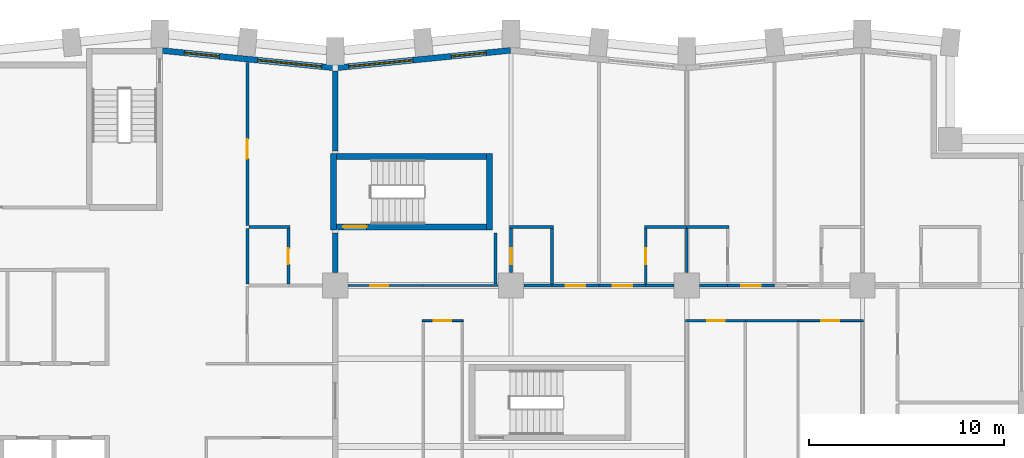
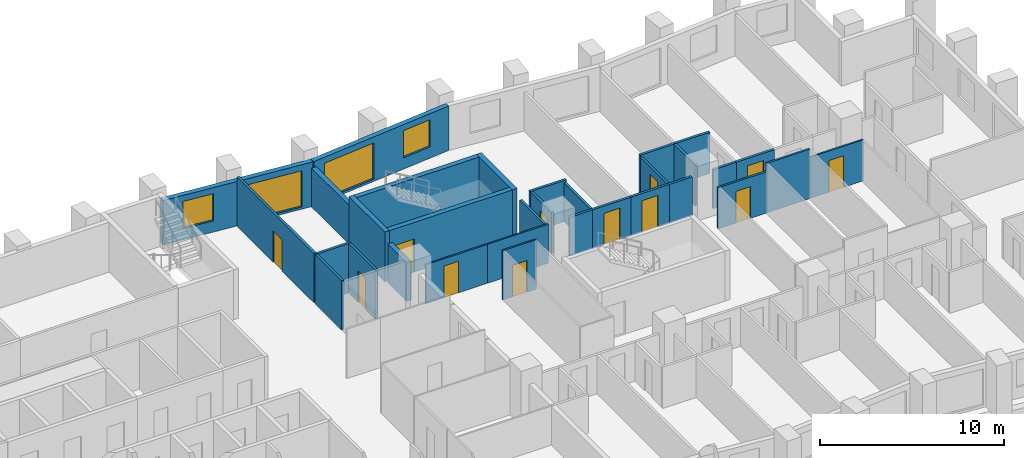
# One storey, part 9 of 13: 32 walls, 12 doors, 4 windows, 16 openings.
"""IFC4 building model written with IfcOpenShell, lengths in metres."""

from ifc_helpers import new_model, si_unit, direction, frame, frame_2d, origin, place, context, subcontext, project, spatial, rectangle, extrude, material, layer, layer_set, type_object, element, fill, save


model = new_model("IFC4")

# Units and contexts
model_context = context("Model", 3, precision=1e-05, world=origin(), true_north=direction((0.0, 1.0)))
body_context = subcontext(model_context, "Body", "Model", "MODEL_VIEW")
ifc_project = project(units=[si_unit("LENGTHUNIT", "METRE"), si_unit("AREAUNIT", "SQUARE_METRE"), si_unit("VOLUMEUNIT", "CUBIC_METRE"), si_unit("PLANEANGLEUNIT", "RADIAN"), si_unit("MASSUNIT", "GRAM", prefix="KILO")], contexts=[model_context])

# Site, building, storey
site_placement = place(None, origin())
site = spatial("IfcSite", under=ifc_project, at=site_placement, CompositionType="ELEMENT")
building_placement = place(site_placement, origin())
building = spatial("IfcBuilding", under=site, at=building_placement, Name="Brondeck Convention Tower", CompositionType="ELEMENT")
storey_placement = place(building_placement, frame((0.0, 0.0, 44.699951171875)))
storey = spatial("IfcBuildingStorey", under=building, at=storey_placement, Name="L08", CompositionType="ELEMENT", Elevation=44.699951171875)

# Walls
ifc_material_1 = material(Name="Concrete compartment wall C30/37", Category="concrete")
ifc_layer_1 = layer(ifc_material_1, 0.300048828125)
ifc_layer_set_1 = layer_set([ifc_layer_1], Name="Compartment wall 300")
wall_type_1 = type_object("IfcWallType", Name="Compartment wall 300", PredefinedType="PARTITIONING", material=ifc_layer_set_1)
wall_1_placement = place(storey_placement, frame((36.0, 53.699951171875, 0.0), z_axis=(0.0, 0.0, 1.0), x_axis=(0.0, -1.0, 0.0)))
element("IfcWall", 1, at=wall_1_placement, inside=storey, type_object=wall_type_1, Name="FLR-L08-W147", PredefinedType="PARTITIONING", context=body_context, shape_type="SweptSolid", body=[
    extrude(rectangle(XDim=2.044921875, YDim=0.300048828125, at=frame_2d((1.0224609375, 0.0))), origin(), (0.0, 0.0, 1.0), 2.580078125),
])
wall_2_placement = place(storey_placement, frame((36.0, 61.97509765625, 0.0), z_axis=(0.0, 0.0, 1.0), x_axis=(0.0, -1.0, 0.0)))
element("IfcWall", 2, at=wall_2_placement, inside=storey, type_object=wall_type_1, Name="FLR-L08-W162", PredefinedType="PARTITIONING", context=body_context, shape_type="SweptSolid", body=[
    extrude(rectangle(XDim=4.0751953125, YDim=0.300048828125, at=frame_2d((2.03759765625, 0.0))), origin(), (0.0, 0.0, 1.0), 2.580078125),
])

# Wall, openings, windows
ifc_material_2 = material(Name="Precast concrete C50/60 bronze finish", Category="concrete")
ifc_layer_2 = layer(ifc_material_2, 0.070068359375, Name="Bronze precast facing")
ifc_material_3 = material(Name="Mineral wool")
ifc_layer_3 = layer(ifc_material_3, 0.159912109375, Name="Insulation")
ifc_material_4 = material(Name="Concrete C35/45", Category="concrete")
ifc_layer_4 = layer(ifc_material_4, 0.070068359375, Name="Backing")
ifc_layer_set_2 = layer_set([ifc_layer_2, ifc_layer_3, ifc_layer_4], Name="External infill wall, precast concrete C50/60 bronze facing")
wall_type_2 = type_object("IfcWallType", Name="External infill wall, precast concrete C50/60 bronze facing", PredefinedType="SOLIDWALL", material=ifc_layer_set_2)
wall_3_placement = place(storey_placement, frame((35.985107421875, 62.144287109375, 0.0), z_axis=(0.0, 0.0, 1.0), x_axis=(0.995037993253, 0.099495688264, 0.0)))
wall_3 = element("IfcWall", 3, at=wall_3_placement, inside=storey, type_object=wall_type_2, Name="ENV-EW-L08-P0-A-N-09", PredefinedType="SOLIDWALL", context=body_context, shape_type="SweptSolid", body=[
    extrude(rectangle(XDim=9.030029296875, YDim=0.300048828125, at=frame_2d((4.51513671875, 0.0))), origin(), (0.0, 0.0, 1.0), 2.949951171875),
])
opening_1_placement = place(wall_3_placement, frame((0.711181640625, 0.0, 0.14990234375)))
opening_1 = element("IfcOpeningElement", 4, at=opening_1_placement, cuts=wall_3, Name="Opening W9", PredefinedType="OPENING", context=body_context, shape_type="SweptSolid", body=[
    extrude(rectangle(XDim=3.300048828125, YDim=2.39990234375, at=frame_2d((1.64990234375, 1.199951171875))), frame((0.0, 0.159912109375, 0.0), z_axis=(0.0, -1.0, 0.0), x_axis=(1.0, 0.0, 0.0)), (0.0, 0.0, 1.0), 0.320068359375),
])
opening_2_placement = place(wall_3_placement, frame((5.983642578125, 0.0, 0.75)))
opening_2 = element("IfcOpeningElement", 5, at=opening_2_placement, cuts=wall_3, Name="Opening W10", PredefinedType="OPENING", context=body_context, shape_type="SweptSolid", body=[
    extrude(rectangle(XDim=1.800048828125, YDim=1.800048828125, at=frame_2d((0.89990234375, 0.89990234375))), frame((0.0, 0.159912109375, 0.0), z_axis=(0.0, -1.0, 0.0), x_axis=(1.0, 0.0, 0.0)), (0.0, 0.0, 1.0), 0.320068359375),
])
ifc_material_5 = material(Name="Bronze tinted double glazing", Category="glass")
window_type_1 = type_object("IfcWindowType", Name="Glazed flute window, bronze tinted", PartitioningType="SINGLE_PANEL", PredefinedType="WINDOW", material=ifc_material_5)
window_1_placement = place(opening_1_placement, origin())
window_1 = element("IfcWindow", 6, at=window_1_placement, inside=storey, type_object=window_type_1, Name="ENV-WN-L08-P0-A-N-08", OverallHeight=2.39990234375, OverallWidth=3.300048828125, PartitioningType="SINGLE_PANEL", PredefinedType="WINDOW", context=body_context, shape_type="SweptSolid", body=[
    extrude(rectangle(XDim=3.300048828125, YDim=2.39990234375, at=frame_2d((1.64990234375, 1.199951171875))), frame((0.0, 0.030029296875, 0.0), z_axis=(0.0, -1.0, 0.0), x_axis=(1.0, 0.0, 0.0)), (0.0, 0.0, 1.0), 0.06005859375),
])
fill(opening_1, window_1)
window_type_2 = type_object("IfcWindowType", Name="Punched window, bronze tinted", PartitioningType="SINGLE_PANEL", PredefinedType="WINDOW", material=ifc_material_5)
window_2_placement = place(opening_2_placement, origin())
window_2 = element("IfcWindow", 7, at=window_2_placement, inside=storey, type_object=window_type_2, Name="ENV-WN-L08-P0-A-N-09", OverallHeight=1.800048828125, OverallWidth=1.800048828125, PartitioningType="SINGLE_PANEL", PredefinedType="WINDOW", context=body_context, shape_type="SweptSolid", body=[
    extrude(rectangle(XDim=1.800048828125, YDim=1.800048828125, at=frame_2d((0.89990234375, 0.89990234375))), frame((0.0, 0.030029296875, 0.0), z_axis=(0.0, -1.0, 0.0), x_axis=(1.0, 0.0, 0.0)), (0.0, 0.0, 1.0), 0.06005859375),
])
fill(opening_2, window_2)

wall_4_placement = place(storey_placement, frame((27.064697265625, 63.039306640625, 0.0), z_axis=(0.0, 0.0, 1.0), x_axis=(0.995036379926, -0.099511821531, 0.0)))
wall_4 = element("IfcWall", 8, at=wall_4_placement, inside=storey, type_object=wall_type_2, Name="ENV-EW-L08-P0-A-N-07", PredefinedType="SOLIDWALL", context=body_context, shape_type="SweptSolid", body=[
    extrude(rectangle(XDim=8.949951171875, YDim=0.300048828125, at=frame_2d((4.47509765625, 0.0))), origin(), (0.0, 0.0, 1.0), 2.949951171875),
])
opening_3_placement = place(wall_4_placement, frame((1.211181640625, 0.0, 0.75)))
opening_3 = element("IfcOpeningElement", 9, at=opening_3_placement, cuts=wall_4, Name="Opening W10", PredefinedType="OPENING", context=body_context, shape_type="SweptSolid", body=[
    extrude(rectangle(XDim=1.800048828125, YDim=1.800048828125, at=frame_2d((0.89990234375, 0.89990234375))), frame((0.0, 0.159912109375, 0.0), z_axis=(0.0, -1.0, 0.0), x_axis=(1.0, 0.0, 0.0)), (0.0, 0.0, 1.0), 0.320068359375),
])
opening_4_placement = place(wall_4_placement, frame((4.983642578125, 0.0, 0.14990234375)))
opening_4 = element("IfcOpeningElement", 10, at=opening_4_placement, cuts=wall_4, Name="Opening W9", PredefinedType="OPENING", context=body_context, shape_type="SweptSolid", body=[
    extrude(rectangle(XDim=3.300048828125, YDim=2.39990234375, at=frame_2d((1.64990234375, 1.199951171875))), frame((0.0, 0.159912109375, 0.0), z_axis=(0.0, -1.0, 0.0), x_axis=(1.0, 0.0, 0.0)), (0.0, 0.0, 1.0), 0.320068359375),
])
window_3_placement = place(opening_4_placement, origin())
window_3 = element("IfcWindow", 11, at=window_3_placement, inside=storey, type_object=window_type_1, Name="ENV-WN-L08-P0-A-N-07", OverallHeight=2.39990234375, OverallWidth=3.300048828125, PartitioningType="SINGLE_PANEL", PredefinedType="WINDOW", context=body_context, shape_type="SweptSolid", body=[
    extrude(rectangle(XDim=3.300048828125, YDim=2.39990234375, at=frame_2d((1.64990234375, 1.199951171875))), frame((0.0, 0.030029296875, 0.0), z_axis=(0.0, -1.0, 0.0), x_axis=(1.0, 0.0, 0.0)), (0.0, 0.0, 1.0), 0.06005859375),
])
fill(opening_4, window_3)
window_4_placement = place(opening_3_placement, origin())
window_4 = element("IfcWindow", 12, at=window_4_placement, inside=storey, type_object=window_type_2, Name="ENV-WN-L08-P0-A-N-06", OverallHeight=1.800048828125, OverallWidth=1.800048828125, PartitioningType="SINGLE_PANEL", PredefinedType="WINDOW", context=body_context, shape_type="SweptSolid", body=[
    extrude(rectangle(XDim=1.800048828125, YDim=1.800048828125, at=frame_2d((0.89990234375, 0.89990234375))), frame((0.0, 0.030029296875, 0.0), z_axis=(0.0, -1.0, 0.0), x_axis=(1.0, 0.0, 0.0)), (0.0, 0.0, 1.0), 0.06005859375),
])
fill(opening_3, window_4)

# Wall
ifc_material_6 = material(Name="Double gypsum board acoustic wall")
ifc_layer_5 = layer(ifc_material_6, 0.14990234375)
ifc_layer_set_3 = layer_set([ifc_layer_5], Name="Guest room party wall 150")
wall_type_3 = type_object("IfcWallType", Name="Guest room party wall 150", PredefinedType="PARTITIONING", material=ifc_layer_set_3)
wall_5_placement = place(storey_placement, frame((45.655029296875, 51.0, 0.0), z_axis=(0.0, 0.0, 1.0), x_axis=(1.0, 0.0, 0.0)))
element("IfcWall", 13, at=wall_5_placement, inside=storey, type_object=wall_type_3, Name="FLR-L08-W133", PredefinedType="PARTITIONING", context=body_context, shape_type="SweptSolid", body=[
    extrude(rectangle(XDim=1.445068359375, YDim=0.14990234375, at=frame_2d((0.72265625, 0.0))), origin(), (0.0, 0.0, 1.0), 2.580078125),
])

# Wall, opening, door
wall_6_placement = place(storey_placement, frame((47.10009765625, 51.0, 0.0), z_axis=(0.0, 0.0, 1.0), x_axis=(1.0, 0.0, 0.0)))
wall_6 = element("IfcWall", 14, at=wall_6_placement, inside=storey, type_object=wall_type_3, Name="FLR-L08-W134", PredefinedType="PARTITIONING", context=body_context, shape_type="SweptSolid", body=[
    extrude(rectangle(XDim=2.39990234375, YDim=0.14990234375, at=frame_2d((1.199951171875, 0.0))), origin(), (0.0, 0.0, 1.0), 2.580078125),
])
opening_5_placement = place(wall_6_placement, frame((0.699951171875, 0.0, 0.0)))
opening_5 = element("IfcOpeningElement", 15, at=opening_5_placement, cuts=wall_6, Name="Opening H1-002", PredefinedType="OPENING", context=body_context, shape_type="SweptSolid", body=[
    extrude(rectangle(XDim=1.0, YDim=2.10009765625, at=frame_2d((0.5, 1.050048828125))), frame((0.0, 0.0849609375, 0.0), z_axis=(0.0, -1.0, 0.0), x_axis=(1.0, 0.0, 0.0)), (0.0, 0.0, 1.0), 0.169921875),
])
ifc_material_7 = material(Name="Solid timber fire door leaf", Category="wood")
door_type_1 = type_object("IfcDoorType", Name="Guest room door 1000", OperationType="NOTDEFINED", PredefinedType="DOOR", material=ifc_material_7)
door_1_placement = place(opening_5_placement, origin())
door_1 = element("IfcDoor", 16, at=door_1_placement, inside=storey, type_object=door_type_1, Name="Door H1-002", OperationType="SINGLE_SWING_LEFT", OverallHeight=2.10009765625, OverallWidth=1.0, PredefinedType="DOOR", context=body_context, shape_type="SweptSolid", body=[
    extrude(rectangle(XDim=1.0, YDim=2.10009765625, at=frame_2d((0.5, 1.050048828125))), frame((0.0, 0.02490234375, 0.0), z_axis=(0.0, -1.0, 0.0), x_axis=(1.0, 0.0, 0.0)), (0.0, 0.0, 1.0), 0.050048828125),
])
fill(opening_5, door_1)

wall_7_placement = place(storey_placement, frame((49.5, 51.0, 0.0), z_axis=(0.0, 0.0, 1.0), x_axis=(1.0, 0.0, 0.0)))
wall_7 = element("IfcWall", 17, at=wall_7_placement, inside=storey, type_object=wall_type_3, Name="FLR-L08-W135", PredefinedType="PARTITIONING", context=body_context, shape_type="SweptSolid", body=[
    extrude(rectangle(XDim=2.39990234375, YDim=0.14990234375, at=frame_2d((1.199951171875, 0.0))), origin(), (0.0, 0.0, 1.0), 2.580078125),
])
opening_6_placement = place(wall_7_placement, frame((0.699951171875, 0.0, 0.0)))
opening_6 = element("IfcOpeningElement", 18, at=opening_6_placement, cuts=wall_7, Name="Opening H1-004", PredefinedType="OPENING", context=body_context, shape_type="SweptSolid", body=[
    extrude(rectangle(XDim=1.0, YDim=2.10009765625, at=frame_2d((0.5, 1.050048828125))), frame((0.0, 0.0849609375, 0.0), z_axis=(0.0, -1.0, 0.0), x_axis=(1.0, 0.0, 0.0)), (0.0, 0.0, 1.0), 0.169921875),
])
door_2_placement = place(opening_6_placement, origin())
door_2 = element("IfcDoor", 19, at=door_2_placement, inside=storey, type_object=door_type_1, Name="Door H1-004", OperationType="SINGLE_SWING_LEFT", OverallHeight=2.10009765625, OverallWidth=1.0, PredefinedType="DOOR", context=body_context, shape_type="SweptSolid", body=[
    extrude(rectangle(XDim=1.0, YDim=2.10009765625, at=frame_2d((0.5, 1.050048828125))), frame((0.0, 0.02490234375, 0.0), z_axis=(0.0, -1.0, 0.0), x_axis=(1.0, 0.0, 0.0)), (0.0, 0.0, 1.0), 0.050048828125),
])
fill(opening_6, door_2)

# Walls
for number, where, z_axis, x_axis, name in (
    (20, (51.89990234375, 51.0, 0.0), (0.0, 0.0, 1.0), (1.0, 0.0, 0.0), "FLR-L08-W136"),
    (21, (54.655029296875, 51.0, 0.0), (0.0, 0.0, 1.0), (1.0, 0.0, 0.0), "FLR-L08-W137"),
):
    element("IfcWall", number, at=place(storey_placement, frame(where, z_axis=z_axis, x_axis=x_axis)), inside=storey, type_object=wall_type_3, Name=name, PredefinedType="PARTITIONING", context=body_context, shape_type="SweptSolid", body=[
        extrude(rectangle(XDim=1.445068359375, YDim=0.14990234375, at=frame_2d((0.72265625, 0.0))), origin(), (0.0, 0.0, 1.0), 2.580078125),
    ])

# Wall, opening, door
wall_8_placement = place(storey_placement, frame((56.10009765625, 51.0, 0.0), z_axis=(0.0, 0.0, 1.0), x_axis=(1.0, 0.0, 0.0)))
wall_8 = element("IfcWall", 22, at=wall_8_placement, inside=storey, type_object=wall_type_3, Name="FLR-L08-W138", PredefinedType="PARTITIONING", context=body_context, shape_type="SweptSolid", body=[
    extrude(rectangle(XDim=2.39990234375, YDim=0.14990234375, at=frame_2d((1.199951171875, 0.0))), origin(), (0.0, 0.0, 1.0), 2.580078125),
])
opening_7_placement = place(wall_8_placement, frame((0.699951171875, 0.0, 0.0)))
opening_7 = element("IfcOpeningElement", 23, at=opening_7_placement, cuts=wall_8, Name="Opening H1-006", PredefinedType="OPENING", context=body_context, shape_type="SweptSolid", body=[
    extrude(rectangle(XDim=1.0, YDim=2.10009765625, at=frame_2d((0.5, 1.050048828125))), frame((0.0, 0.0849609375, 0.0), z_axis=(0.0, -1.0, 0.0), x_axis=(1.0, 0.0, 0.0)), (0.0, 0.0, 1.0), 0.169921875),
])
door_3_placement = place(opening_7_placement, origin())
door_3 = element("IfcDoor", 24, at=door_3_placement, inside=storey, type_object=door_type_1, Name="Door H1-006", OperationType="SINGLE_SWING_LEFT", OverallHeight=2.10009765625, OverallWidth=1.0, PredefinedType="DOOR", context=body_context, shape_type="SweptSolid", body=[
    extrude(rectangle(XDim=1.0, YDim=2.10009765625, at=frame_2d((0.5, 1.050048828125))), frame((0.0, 0.02490234375, 0.0), z_axis=(0.0, -1.0, 0.0), x_axis=(1.0, 0.0, 0.0)), (0.0, 0.0, 1.0), 0.050048828125),
])
fill(opening_7, door_3)

wall_9_placement = place(storey_placement, frame((33.60009765625, 51.074951171875, 0.0), z_axis=(0.0, 0.0, 1.0), x_axis=(0.0, 1.0, 0.0)))
wall_9 = element("IfcWall", 25, at=wall_9_placement, inside=storey, type_object=wall_type_3, Name="FLR-L08-W143", PredefinedType="PARTITIONING", context=body_context, shape_type="SweptSolid", body=[
    extrude(rectangle(XDim=2.85009765625, YDim=0.14990234375, at=frame_2d((1.425048828125, 0.0))), origin(), (0.0, 0.0, 1.0), 3.280029296875),
])
opening_8_placement = place(wall_9_placement, frame((1.02490234375, 0.0, 0.0)))
opening_8 = element("IfcOpeningElement", 26, at=opening_8_placement, cuts=wall_9, Name="Opening H1-047", PredefinedType="OPENING", context=body_context, shape_type="SweptSolid", body=[
    extrude(rectangle(XDim=0.800048828125, YDim=2.10009765625, at=frame_2d((0.39990234375, 1.050048828125))), frame((0.0, 0.0849609375, 0.0), z_axis=(0.0, -1.0, 0.0), x_axis=(1.0, 0.0, 0.0)), (0.0, 0.0, 1.0), 0.169921875),
])
ifc_material_8 = material(Name="Solid timber door leaf", Category="wood")
door_type_2 = type_object("IfcDoorType", Name="En-suite door 800", OperationType="NOTDEFINED", PredefinedType="DOOR", material=ifc_material_8)
door_4_placement = place(opening_8_placement, origin())
door_4 = element("IfcDoor", 27, at=door_4_placement, inside=storey, type_object=door_type_2, Name="Door H1-047", OperationType="SINGLE_SWING_LEFT", OverallHeight=2.10009765625, OverallWidth=0.800048828125, PredefinedType="DOOR", context=body_context, shape_type="SweptSolid", body=[
    extrude(rectangle(XDim=0.800048828125, YDim=2.10009765625, at=frame_2d((0.39990234375, 1.050048828125))), frame((0.0, 0.02490234375, 0.0), z_axis=(0.0, -1.0, 0.0), x_axis=(1.0, 0.0, 0.0)), (0.0, 0.0, 1.0), 0.050048828125),
])
fill(opening_8, door_4)

# Walls
wall_10_placement = place(storey_placement, frame((47.10009765625, 51.074951171875, 0.0), z_axis=(0.0, 0.0, 1.0), x_axis=(0.0, 1.0, 0.0)))
element("IfcWall", 28, at=wall_10_placement, inside=storey, type_object=wall_type_3, Name="FLR-L08-W144", PredefinedType="PARTITIONING", context=body_context, shape_type="SweptSolid", body=[
    extrude(rectangle(XDim=2.85009765625, YDim=0.14990234375, at=frame_2d((1.425048828125, 0.0))), origin(), (0.0, 0.0, 1.0), 2.580078125),
])
wall_11_placement = place(storey_placement, frame((44.199951171875, 53.699951171875, 0.0), z_axis=(0.0, 0.0, 1.0), x_axis=(0.0, -1.0, 0.0)))
element("IfcWall", 29, at=wall_11_placement, inside=storey, type_object=wall_type_3, Name="FLR-L08-W148", PredefinedType="PARTITIONING", context=body_context, shape_type="SweptSolid", body=[
    extrude(rectangle(XDim=2.625, YDim=0.14990234375, at=frame_2d((1.3125, 0.0))), origin(), (0.0, 0.0, 1.0), 2.580078125),
])
wall_12_placement = place(storey_placement, frame((31.5, 53.925048828125, 0.0), z_axis=(0.0, 0.0, 1.0), x_axis=(0.0, -1.0, 0.0)))
element("IfcWall", 30, at=wall_12_placement, inside=storey, type_object=wall_type_3, Name="FLR-L08-W149", PredefinedType="PARTITIONING", context=body_context, shape_type="SweptSolid", body=[
    extrude(rectangle(XDim=2.85009765625, YDim=0.14990234375, at=frame_2d((1.425048828125, 0.0))), origin(), (0.0, 0.0, 1.0), 3.280029296875),
])

# Wall, opening, door
wall_13_placement = place(storey_placement, frame((45.0, 53.925048828125, 0.0), z_axis=(0.0, 0.0, 1.0), x_axis=(0.0, -1.0, 0.0)))
wall_13 = element("IfcWall", 31, at=wall_13_placement, inside=storey, type_object=wall_type_3, Name="FLR-L08-W150", PredefinedType="PARTITIONING", context=body_context, shape_type="SweptSolid", body=[
    extrude(rectangle(XDim=2.27001953125, YDim=0.14990234375, at=frame_2d((1.135009765625, 0.0))), origin(), (0.0, 0.0, 1.0), 2.72998046875),
])
opening_9_placement = place(wall_13_placement, frame((1.02490234375, 0.0, 0.0)))
opening_9 = element("IfcOpeningElement", 32, at=opening_9_placement, cuts=wall_13, Name="Opening H1-003", PredefinedType="OPENING", context=body_context, shape_type="SweptSolid", body=[
    extrude(rectangle(XDim=0.800048828125, YDim=2.10009765625, at=frame_2d((0.39990234375, 1.050048828125))), frame((0.0, 0.0849609375, 0.0), z_axis=(0.0, -1.0, 0.0), x_axis=(1.0, 0.0, 0.0)), (0.0, 0.0, 1.0), 0.169921875),
])
door_5_placement = place(opening_9_placement, origin())
door_5 = element("IfcDoor", 33, at=door_5_placement, inside=storey, type_object=door_type_2, Name="Door H1-003", OperationType="SINGLE_SWING_RIGHT", OverallHeight=2.10009765625, OverallWidth=0.800048828125, PredefinedType="DOOR", context=body_context, shape_type="SweptSolid", body=[
    extrude(rectangle(XDim=0.800048828125, YDim=2.10009765625, at=frame_2d((0.39990234375, 1.050048828125))), frame((0.0, 0.02490234375, 0.0), z_axis=(0.0, -1.0, 0.0), x_axis=(1.0, 0.0, 0.0)), (0.0, 0.0, 1.0), 0.050048828125),
])
fill(opening_9, door_5)

wall_14_placement = place(storey_placement, frame((51.89990234375, 53.925048828125, 0.0), z_axis=(0.0, 0.0, 1.0), x_axis=(0.0, -1.0, 0.0)))
wall_14 = element("IfcWall", 34, at=wall_14_placement, inside=storey, type_object=wall_type_3, Name="FLR-L08-W151", PredefinedType="PARTITIONING", context=body_context, shape_type="SweptSolid", body=[
    extrude(rectangle(XDim=2.85009765625, YDim=0.14990234375, at=frame_2d((1.425048828125, 0.0))), origin(), (0.0, 0.0, 1.0), 2.580078125),
])
opening_10_placement = place(wall_14_placement, frame((1.02490234375, 0.0, 0.0)))
opening_10 = element("IfcOpeningElement", 35, at=opening_10_placement, cuts=wall_14, Name="Opening H1-005", PredefinedType="OPENING", context=body_context, shape_type="SweptSolid", body=[
    extrude(rectangle(XDim=0.800048828125, YDim=2.10009765625, at=frame_2d((0.39990234375, 1.050048828125))), frame((0.0, 0.0849609375, 0.0), z_axis=(0.0, -1.0, 0.0), x_axis=(1.0, 0.0, 0.0)), (0.0, 0.0, 1.0), 0.169921875),
])
door_6_placement = place(opening_10_placement, origin())
door_6 = element("IfcDoor", 36, at=door_6_placement, inside=storey, type_object=door_type_2, Name="Door H1-005", OperationType="SINGLE_SWING_LEFT", OverallHeight=2.10009765625, OverallWidth=0.800048828125, PredefinedType="DOOR", context=body_context, shape_type="SweptSolid", body=[
    extrude(rectangle(XDim=0.800048828125, YDim=2.10009765625, at=frame_2d((0.39990234375, 1.050048828125))), frame((0.0, 0.02490234375, 0.0), z_axis=(0.0, -1.0, 0.0), x_axis=(1.0, 0.0, 0.0)), (0.0, 0.0, 1.0), 0.050048828125),
])
fill(opening_10, door_6)

# Walls
wall_15_placement = place(storey_placement, frame((54.0, 53.925048828125, 0.0), z_axis=(0.0, 0.0, 1.0), x_axis=(0.0, -1.0, 0.0)))
element("IfcWall", 37, at=wall_15_placement, inside=storey, type_object=wall_type_3, Name="FLR-L08-W152", PredefinedType="PARTITIONING", context=body_context, shape_type="SweptSolid", body=[
    extrude(rectangle(XDim=2.27001953125, YDim=0.14990234375, at=frame_2d((1.135009765625, 0.0))), origin(), (0.0, 0.0, 1.0), 2.72998046875),
])
wall_16_placement = place(storey_placement, frame((33.675048828125, 54.0, 0.0), z_axis=(0.0, 0.0, 1.0), x_axis=(-1.0, 0.0, 0.0)))
element("IfcWall", 38, at=wall_16_placement, inside=storey, type_object=wall_type_3, Name="FLR-L08-W156", PredefinedType="PARTITIONING", context=body_context, shape_type="SweptSolid", body=[
    extrude(rectangle(XDim=2.10009765625, YDim=0.14990234375, at=frame_2d((1.050048828125, 0.0))), origin(), (0.0, 0.0, 1.0), 3.280029296875),
])
wall_17_placement = place(storey_placement, frame((47.175048828125, 54.0, 0.0), z_axis=(0.0, 0.0, 1.0), x_axis=(-1.0, 0.0, 0.0)))
element("IfcWall", 39, at=wall_17_placement, inside=storey, type_object=wall_type_3, Name="FLR-L08-W157", PredefinedType="PARTITIONING", context=body_context, shape_type="SweptSolid", body=[
    extrude(rectangle(XDim=2.25, YDim=0.14990234375, at=frame_2d((1.125, 0.0))), origin(), (0.0, 0.0, 1.0), 2.72998046875),
])
for number, where, z_axis, x_axis, name in (
    (40, (54.0, 54.0, 0.0), (0.0, 0.0, 1.0), (-1.0, 0.0, 0.0), "FLR-L08-W158"),
    (41, (56.175048828125, 54.0, 0.0), (0.0, 0.0, 1.0), (-1.0, 0.0, 0.0), "FLR-L08-W159"),
):
    element("IfcWall", number, at=place(storey_placement, frame(where, z_axis=z_axis, x_axis=x_axis)), inside=storey, type_object=wall_type_3, Name=name, PredefinedType="PARTITIONING", context=body_context, shape_type="SweptSolid", body=[
        extrude(rectangle(XDim=2.175048828125, YDim=0.14990234375, at=frame_2d((1.08740234375, 0.0))), origin(), (0.0, 0.0, 1.0), 2.72998046875),
    ])

# Wall, opening, door
wall_18_placement = place(storey_placement, frame((31.5, 62.425048828125, 0.0), z_axis=(0.0, 0.0, 1.0), x_axis=(0.0, -1.0, 0.0)))
wall_18 = element("IfcWall", 42, at=wall_18_placement, inside=storey, type_object=wall_type_3, Name="FLR-L08-W164", PredefinedType="PARTITIONING", context=body_context, shape_type="SweptSolid", body=[
    extrude(rectangle(XDim=8.35009765625, YDim=0.14990234375, at=frame_2d((4.175048828125, 0.0))), origin(), (0.0, 0.0, 1.0), 3.280029296875),
])
opening_11_placement = place(wall_18_placement, frame((3.925048828125, 0.0, 0.0)))
opening_11 = element("IfcOpeningElement", 43, at=opening_11_placement, cuts=wall_18, Name="Opening H1-046", PredefinedType="OPENING", context=body_context, shape_type="SweptSolid", body=[
    extrude(rectangle(XDim=1.0, YDim=2.10009765625, at=frame_2d((0.5, 1.050048828125))), frame((0.0, 0.0849609375, 0.0), z_axis=(0.0, -1.0, 0.0), x_axis=(1.0, 0.0, 0.0)), (0.0, 0.0, 1.0), 0.169921875),
])
door_7_placement = place(opening_11_placement, origin())
door_7 = element("IfcDoor", 44, at=door_7_placement, inside=storey, type_object=door_type_1, Name="Door H1-046", OperationType="SINGLE_SWING_LEFT", OverallHeight=2.10009765625, OverallWidth=1.0, PredefinedType="DOOR", context=body_context, shape_type="SweptSolid", body=[
    extrude(rectangle(XDim=1.0, YDim=2.10009765625, at=frame_2d((0.5, 1.050048828125))), frame((0.0, 0.02490234375, 0.0), z_axis=(0.0, -1.0, 0.0), x_axis=(1.0, 0.0, 0.0)), (0.0, 0.0, 1.0), 0.050048828125),
])
fill(opening_11, door_7)

ifc_material_9 = material(Name="Gypsum board shaft wall on steel studs", Category="steel")
ifc_layer_6 = layer(ifc_material_9, 0.125)
ifc_layer_set_4 = layer_set([ifc_layer_6], Name="Riser wall 125")
wall_type_4 = type_object("IfcWallType", Name="Riser wall 125", PredefinedType="PARTITIONING", material=ifc_layer_set_4)
wall_19_placement = place(storey_placement, frame((57.0, 49.199951171875, 0.0), z_axis=(0.0, 0.0, 1.0), x_axis=(-1.0, 0.0, 0.0)))
wall_19 = element("IfcWall", 45, at=wall_19_placement, inside=storey, type_object=wall_type_4, Name="FLR-L08-W123", PredefinedType="PARTITIONING", context=body_context, shape_type="SweptSolid", body=[
    extrude(rectangle(XDim=3.0625, YDim=0.125, at=frame_2d((1.53125, 0.0))), origin(), (0.0, 0.0, 1.0), 2.72998046875),
])
opening_12_placement = place(wall_19_placement, frame((1.050048828125, 0.0, 0.0)))
opening_12 = element("IfcOpeningElement", 46, at=opening_12_placement, cuts=wall_19, Name="Opening H1-023", PredefinedType="OPENING", context=body_context, shape_type="SweptSolid", body=[
    extrude(rectangle(XDim=0.89990234375, YDim=2.10009765625, at=frame_2d((0.449951171875, 1.050048828125))), frame((0.0, 0.072509765625, 0.0), z_axis=(0.0, -1.0, 0.0), x_axis=(1.0, 0.0, 0.0)), (0.0, 0.0, 1.0), 0.14501953125),
])
door_type_3 = type_object("IfcDoorType", Name="Single door 900", OperationType="NOTDEFINED", PredefinedType="DOOR", material=ifc_material_8)
door_8_placement = place(opening_12_placement, origin())
door_8 = element("IfcDoor", 47, at=door_8_placement, inside=storey, type_object=door_type_3, Name="Door H1-023", OperationType="SINGLE_SWING_LEFT", OverallHeight=2.10009765625, OverallWidth=0.89990234375, PredefinedType="DOOR", context=body_context, shape_type="SweptSolid", body=[
    extrude(rectangle(XDim=0.89990234375, YDim=2.10009765625, at=frame_2d((0.449951171875, 1.050048828125))), frame((0.0, 0.02490234375, 0.0), z_axis=(0.0, -1.0, 0.0), x_axis=(1.0, 0.0, 0.0)), (0.0, 0.0, 1.0), 0.050048828125),
])
fill(opening_12, door_8)

# Wall
wall_20_placement = place(storey_placement, frame((59.699951171875, 49.199951171875, 0.0), z_axis=(0.0, 0.0, 1.0), x_axis=(-1.0, 0.0, 0.0)))
element("IfcWall", 48, at=wall_20_placement, inside=storey, type_object=wall_type_4, Name="FLR-L08-W124", PredefinedType="PARTITIONING", context=body_context, shape_type="SweptSolid", body=[
    extrude(rectangle(XDim=2.699951171875, YDim=0.125, at=frame_2d((1.35009765625, 0.0))), origin(), (0.0, 0.0, 1.0), 3.280029296875),
])

# Wall, opening, door
ifc_material_10 = material(Name="Gypsum board partition on steel studs", Category="steel")
ifc_layer_7 = layer(ifc_material_10, 0.10009765625)
ifc_layer_set_5 = layer_set([ifc_layer_7], Name="Room partition 100")
wall_type_5 = type_object("IfcWallType", Name="Room partition 100", PredefinedType="PARTITIONING", material=ifc_layer_set_5)
wall_21_placement = place(storey_placement, frame((42.550048828125, 49.199951171875, 0.0), z_axis=(0.0, 0.0, 1.0), x_axis=(-1.0, 0.0, 0.0)))
wall_21 = element("IfcWall", 49, at=wall_21_placement, inside=storey, type_object=wall_type_5, Name="FLR-L08-W122", PredefinedType="PARTITIONING", context=body_context, shape_type="SweptSolid", body=[
    extrude(rectangle(XDim=2.10009765625, YDim=0.10009765625, at=frame_2d((1.050048828125, 0.0))), origin(), (0.0, 0.0, 1.0), 3.280029296875),
])
opening_13_placement = place(wall_21_placement, frame((0.60009765625, 0.0, 0.0)))
opening_13 = element("IfcOpeningElement", 50, at=opening_13_placement, cuts=wall_21, Name="Opening H1-022", PredefinedType="OPENING", context=body_context, shape_type="SweptSolid", body=[
    extrude(rectangle(XDim=0.89990234375, YDim=2.10009765625, at=frame_2d((0.449951171875, 1.050048828125))), frame((0.0, 0.06005859375, 0.0), z_axis=(0.0, -1.0, 0.0), x_axis=(1.0, 0.0, 0.0)), (0.0, 0.0, 1.0), 0.1201171875),
])
door_9_placement = place(opening_13_placement, origin())
door_9 = element("IfcDoor", 51, at=door_9_placement, inside=storey, type_object=door_type_3, Name="Door H1-022", OperationType="SINGLE_SWING_LEFT", OverallHeight=2.10009765625, OverallWidth=0.89990234375, PredefinedType="DOOR", context=body_context, shape_type="SweptSolid", body=[
    extrude(rectangle(XDim=0.89990234375, YDim=2.10009765625, at=frame_2d((0.449951171875, 1.050048828125))), frame((0.0, 0.02490234375, 0.0), z_axis=(0.0, -1.0, 0.0), x_axis=(1.0, 0.0, 0.0)), (0.0, 0.0, 1.0), 0.050048828125),
])
fill(opening_13, door_9)

wall_22_placement = place(storey_placement, frame((63.050048828125, 49.199951171875, 0.0), z_axis=(0.0, 0.0, 1.0), x_axis=(-1.0, 0.0, 0.0)))
wall_22 = element("IfcWall", 52, at=wall_22_placement, inside=storey, type_object=wall_type_5, Name="FLR-L08-W125", PredefinedType="PARTITIONING", context=body_context, shape_type="SweptSolid", body=[
    extrude(rectangle(XDim=3.35009765625, YDim=0.10009765625, at=frame_2d((1.675048828125, 0.0))), origin(), (0.0, 0.0, 1.0), 2.72998046875),
])
opening_14_placement = place(wall_22_placement, frame((1.25, 0.0, 0.0)))
opening_14 = element("IfcOpeningElement", 53, at=opening_14_placement, cuts=wall_22, Name="Opening H1-025", PredefinedType="OPENING", context=body_context, shape_type="SweptSolid", body=[
    extrude(rectangle(XDim=0.89990234375, YDim=2.10009765625, at=frame_2d((0.449951171875, 1.050048828125))), frame((0.0, 0.06005859375, 0.0), z_axis=(0.0, -1.0, 0.0), x_axis=(1.0, 0.0, 0.0)), (0.0, 0.0, 1.0), 0.1201171875),
])
door_10_placement = place(opening_14_placement, origin())
door_10 = element("IfcDoor", 54, at=door_10_placement, inside=storey, type_object=door_type_3, Name="Door H1-025", OperationType="SINGLE_SWING_LEFT", OverallHeight=2.10009765625, OverallWidth=0.89990234375, PredefinedType="DOOR", context=body_context, shape_type="SweptSolid", body=[
    extrude(rectangle(XDim=0.89990234375, YDim=2.10009765625, at=frame_2d((0.449951171875, 1.050048828125))), frame((0.0, 0.02490234375, 0.0), z_axis=(0.0, -1.0, 0.0), x_axis=(1.0, 0.0, 0.0)), (0.0, 0.0, 1.0), 0.050048828125),
])
fill(opening_14, door_10)

wall_23_placement = place(storey_placement, frame((40.5, 51.0, 0.0), z_axis=(0.0, 0.0, 1.0), x_axis=(-1.0, 0.0, 0.0)))
wall_23 = element("IfcWall", 55, at=wall_23_placement, inside=storey, type_object=wall_type_5, Name="FLR-L08-W131", PredefinedType="PARTITIONING", context=body_context, shape_type="SweptSolid", body=[
    extrude(rectangle(XDim=3.844970703125, YDim=0.10009765625, at=frame_2d((1.92236328125, 0.0))), origin(), (0.0, 0.0, 1.0), 2.580078125),
])
opening_15_placement = place(wall_23_placement, frame((1.800048828125, 0.0, 0.0)))
opening_15 = element("IfcOpeningElement", 56, at=opening_15_placement, cuts=wall_23, Name="Opening H1-001", PredefinedType="OPENING", context=body_context, shape_type="SweptSolid", body=[
    extrude(rectangle(XDim=0.89990234375, YDim=2.10009765625, at=frame_2d((0.449951171875, 1.050048828125))), frame((0.0, 0.06005859375, 0.0), z_axis=(0.0, -1.0, 0.0), x_axis=(1.0, 0.0, 0.0)), (0.0, 0.0, 1.0), 0.1201171875),
])
door_11_placement = place(opening_15_placement, origin())
door_11 = element("IfcDoor", 57, at=door_11_placement, inside=storey, type_object=door_type_3, Name="Door H1-001", OperationType="SINGLE_SWING_LEFT", OverallHeight=2.10009765625, OverallWidth=0.89990234375, PredefinedType="DOOR", context=body_context, shape_type="SweptSolid", body=[
    extrude(rectangle(XDim=0.89990234375, YDim=2.10009765625, at=frame_2d((0.449951171875, 1.050048828125))), frame((0.0, 0.02490234375, 0.0), z_axis=(0.0, -1.0, 0.0), x_axis=(1.0, 0.0, 0.0)), (0.0, 0.0, 1.0), 0.050048828125),
])
fill(opening_15, door_11)

# Wall
wall_24_placement = place(storey_placement, frame((44.330078125, 51.0, 0.0), z_axis=(0.0, 0.0, 1.0), x_axis=(-1.0, 0.0, 0.0)))
element("IfcWall", 58, at=wall_24_placement, inside=storey, type_object=wall_type_5, Name="FLR-L08-W132", PredefinedType="PARTITIONING", context=body_context, shape_type="SweptSolid", body=[
    extrude(rectangle(XDim=3.830078125, YDim=0.10009765625, at=frame_2d((1.9150390625, 0.0))), origin(), (0.0, 0.0, 1.0), 2.580078125),
])

# Wall, opening, door
ifc_material_11 = material(Name="Concrete C80/95", Category="concrete")
ifc_layer_8 = layer(ifc_material_11, 0.300048828125)
ifc_layer_set_6 = layer_set([ifc_layer_8], Name="Stair enclosure wall 300 Concrete C80/95")
wall_type_6 = type_object("IfcWallType", Name="Stair enclosure wall 300 Concrete C80/95", PredefinedType="SHEAR", material=ifc_layer_set_6)
wall_25_placement = place(storey_placement, frame((36.050048828125, 54.0, 0.0), z_axis=(0.0, 0.0, 1.0), x_axis=(1.0, 0.0, 0.0)))
wall_25 = element("IfcWall", 59, at=wall_25_placement, inside=storey, type_object=wall_type_6, Name="L08 core wall", PredefinedType="SHEAR", context=body_context, shape_type="SweptSolid", body=[
    extrude(rectangle(XDim=7.699951171875, YDim=0.300048828125, at=frame_2d((3.85009765625, 0.0))), origin(), (0.0, 0.0, 1.0), 3.300048828125),
])
opening_16_placement = place(wall_25_placement, frame((0.35009765625, 0.0, 0.0)))
opening_16 = element("IfcOpeningElement", 60, at=opening_16_placement, cuts=wall_25, Name="Opening C08-17", PredefinedType="OPENING", context=body_context, shape_type="SweptSolid", body=[
    extrude(rectangle(XDim=1.199951171875, YDim=2.199951171875, at=frame_2d((0.60009765625, 1.10009765625))), frame((0.0, 0.159912109375, 0.0), z_axis=(0.0, -1.0, 0.0), x_axis=(1.0, 0.0, 0.0)), (0.0, 0.0, 1.0), 0.320068359375),
])
ifc_material_12 = material(Name="Steel fire door", Category="steel")
door_type_4 = type_object("IfcDoorType", Name="Stair door 1200x2200 EI 90", OperationType="NOTDEFINED", PredefinedType="DOOR", material=ifc_material_12)
door_12_placement = place(opening_16_placement, origin())
door_12 = element("IfcDoor", 61, at=door_12_placement, inside=storey, type_object=door_type_4, Name="L08 Stair door ST-AE", OperationType="SINGLE_SWING_LEFT", OverallHeight=2.199951171875, OverallWidth=1.199951171875, PredefinedType="DOOR", context=body_context, shape_type="SweptSolid", body=[
    extrude(rectangle(XDim=1.199951171875, YDim=2.199951171875, at=frame_2d((0.60009765625, 1.10009765625))), frame((0.0, 0.02490234375, 0.0), z_axis=(0.0, -1.0, 0.0), x_axis=(1.0, 0.0, 0.0)), (0.0, 0.0, 1.0), 0.050048828125),
])
fill(opening_16, door_12)

# Walls
wall_26_placement = place(storey_placement, frame((36.050048828125, 57.60009765625, 0.0), z_axis=(0.0, 0.0, 1.0), x_axis=(1.0, 0.0, 0.0)))
element("IfcWall", 62, at=wall_26_placement, inside=storey, type_object=wall_type_6, Name="L08 core wall", PredefinedType="SHEAR", context=body_context, shape_type="SweptSolid", body=[
    extrude(rectangle(XDim=7.699951171875, YDim=0.300048828125, at=frame_2d((3.85009765625, 0.0))), origin(), (0.0, 0.0, 1.0), 3.300048828125),
])
for number, where, z_axis, x_axis, name in (
    (63, (35.89990234375, 53.85009765625, 0.0), (0.0, 0.0, 1.0), (0.0, 1.0, 0.0), "L08 core wall"),
    (64, (43.89990234375, 53.85009765625, 0.0), (0.0, 0.0, 1.0), (0.0, 1.0, 0.0), "L08 core wall"),
):
    element("IfcWall", number, at=place(storey_placement, frame(where, z_axis=z_axis, x_axis=x_axis)), inside=storey, type_object=wall_type_6, Name=name, PredefinedType="SHEAR", context=body_context, shape_type="SweptSolid", body=[
        extrude(rectangle(XDim=3.89990234375, YDim=0.300048828125, at=frame_2d((1.949951171875, 0.0))), origin(), (0.0, 0.0, 1.0), 3.300048828125),
    ])

save(model, "model.ifc")
